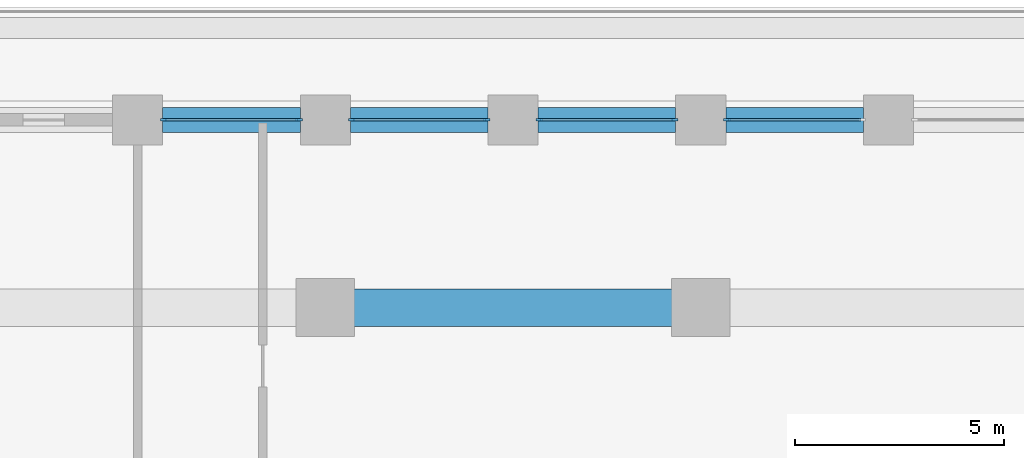
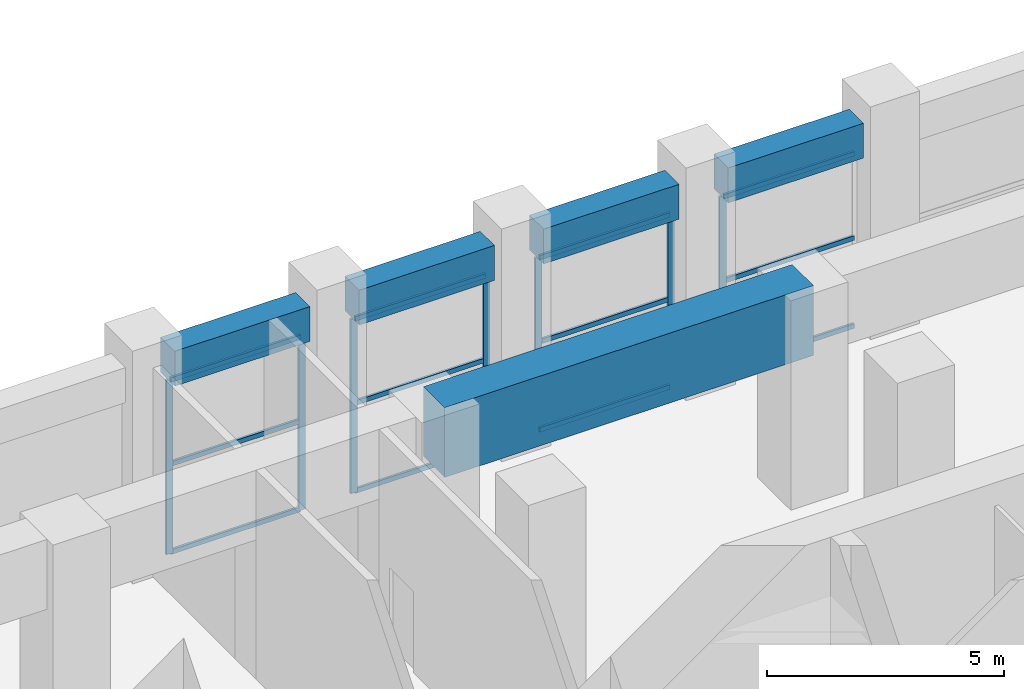
# One storey, part 7 of 24: 19 members, 5 beams, 4 elements without a shape of their own.
"""IFC4 building model written with IfcOpenShell, lengths in metres."""

from ifc_helpers import new_model, si_unit, direction, frame, origin, origin_2d, place, context, subcontext, project, spatial, rectangle, extrude, material, material_profile, profile_set, type_object, element, aggregate, save


model = new_model("IFC4")

# Units and contexts
model_context = context("Model", 3, precision=1e-05, world=origin(), true_north=direction((0.0, 1.0)))
body_context = subcontext(model_context, "Body", "Model", "MODEL_VIEW")
ifc_project = project(units=[si_unit("LENGTHUNIT", "METRE"), si_unit("AREAUNIT", "SQUARE_METRE"), si_unit("VOLUMEUNIT", "CUBIC_METRE"), si_unit("PLANEANGLEUNIT", "RADIAN"), si_unit("MASSUNIT", "GRAM", prefix="KILO")], contexts=[model_context])

# Site, building, storey
site_placement = place(None, origin())
site = spatial("IfcSite", under=ifc_project, at=site_placement, CompositionType="ELEMENT")
building_placement = place(site_placement, origin())
building = spatial("IfcBuilding", under=site, at=building_placement, Name="Corbel Stack Research Tower", CompositionType="ELEMENT")
storey_placement = place(building_placement, frame((0.0, 0.0, 145.39990234375)))
storey = spatial("IfcBuildingStorey", under=building, at=storey_placement, Name="L33", CompositionType="ELEMENT", Elevation=145.39990234375)

# Curtain wall, member
ifc_material_1 = material(Name="Aluminium frame, clear glass", Category="aluminium")
curtain_wall_type = type_object("IfcCurtainWallType", Name="Amenity floor curtain wall CW2", PredefinedType="NOTDEFINED", material=ifc_material_1)
curtain_wall_1_placement = place(storey_placement, origin())
curtain_wall_1 = element("IfcCurtainWall", 1, at=curtain_wall_1_placement, inside=storey, type_object=curtain_wall_type, Name="Curtain wall CW2 L33 N05", PredefinedType="NOTDEFINED")
ifc_material_2 = material(Name="Aluminium mullion", Category="aluminium")
ifc_material_profile_1 = material_profile(ifc_material_2, rectangle(XDim=0.06005859375, YDim=0.159912109375, at=origin_2d()), Name="Mullion 60 x 160")
ifc_profile_set_1 = profile_set([ifc_material_profile_1], Name="Aluminium mullion")
member_type_1 = type_object("IfcMemberType", Name="Curtain wall mullion 60 x 160", PredefinedType="MULLION", material=ifc_profile_set_1)
member_1_placement = place(storey_placement, frame((0.6298828125, 31.5, 0.0), z_axis=(0.0, 0.0, 1.0), x_axis=(0.0, -1.0, 0.0)))
member_1 = element("IfcMember", 2, at=member_1_placement, type_object=member_type_1, Name="CW2 L33 N05 mullion 2", PredefinedType="MULLION", context=body_context, shape_type="SweptSolid", body=[
    extrude(rectangle(XDim=0.06005859375, YDim=0.159912109375, at=origin_2d()), origin(), (0.0, 0.0, 1.0), 4.5),
])

# Curtain wall, members
curtain_wall_2_placement = place(storey_placement, origin())
curtain_wall_2 = element("IfcCurtainWall", 3, at=curtain_wall_2_placement, inside=storey, type_object=curtain_wall_type, Name="Curtain wall CW2 L33 N06", PredefinedType="NOTDEFINED")
member_2_placement = place(storey_placement, frame((-0.6298828125, 31.5, 0.0), z_axis=(0.0, 0.0, 1.0), x_axis=(0.0, -1.0, 0.0)))
member_2 = element("IfcMember", 4, at=member_2_placement, type_object=member_type_1, Name="CW2 L33 N06 mullion 1", PredefinedType="MULLION", context=body_context, shape_type="SweptSolid", body=[
    extrude(rectangle(XDim=0.06005859375, YDim=0.159912109375, at=origin_2d()), origin(), (0.0, 0.0, 1.0), 4.5),
])
member_3_placement = place(storey_placement, frame((-3.8701171875, 31.5, 0.0), z_axis=(0.0, 0.0, 1.0), x_axis=(0.0, -1.0, 0.0)))
member_3 = element("IfcMember", 5, at=member_3_placement, type_object=member_type_1, Name="CW2 L33 N06 mullion 2", PredefinedType="MULLION", context=body_context, shape_type="SweptSolid", body=[
    extrude(rectangle(XDim=0.06005859375, YDim=0.159912109375, at=origin_2d()), origin(), (0.0, 0.0, 1.0), 4.5),
])

curtain_wall_3_placement = place(storey_placement, origin())
curtain_wall_3 = element("IfcCurtainWall", 6, at=curtain_wall_3_placement, inside=storey, type_object=curtain_wall_type, Name="Curtain wall CW2 L33 N07", PredefinedType="NOTDEFINED")
member_4_placement = place(storey_placement, frame((-5.1298828125, 31.5, 0.0), z_axis=(0.0, 0.0, 1.0), x_axis=(0.0, -1.0, 0.0)))
member_4 = element("IfcMember", 7, at=member_4_placement, type_object=member_type_1, Name="CW2 L33 N07 mullion 1", PredefinedType="MULLION", context=body_context, shape_type="SweptSolid", body=[
    extrude(rectangle(XDim=0.06005859375, YDim=0.159912109375, at=origin_2d()), origin(), (0.0, 0.0, 1.0), 4.5),
])
member_5_placement = place(storey_placement, frame((-8.3701171875, 31.5, 0.0), z_axis=(0.0, 0.0, 1.0), x_axis=(0.0, -1.0, 0.0)))
member_5 = element("IfcMember", 8, at=member_5_placement, type_object=member_type_1, Name="CW2 L33 N07 mullion 2", PredefinedType="MULLION", context=body_context, shape_type="SweptSolid", body=[
    extrude(rectangle(XDim=0.06005859375, YDim=0.159912109375, at=origin_2d()), origin(), (0.0, 0.0, 1.0), 4.5),
])

curtain_wall_4_placement = place(storey_placement, origin())
curtain_wall_4 = element("IfcCurtainWall", 9, at=curtain_wall_4_placement, inside=storey, type_object=curtain_wall_type, Name="Curtain wall CW2 L33 N08", PredefinedType="NOTDEFINED")
member_6_placement = place(storey_placement, frame((-9.6298828125, 31.5, 0.0), z_axis=(0.0, 0.0, 1.0), x_axis=(0.0, -1.0, 0.0)))
member_6 = element("IfcMember", 10, at=member_6_placement, type_object=member_type_1, Name="CW2 L33 N08 mullion 1", PredefinedType="MULLION", context=body_context, shape_type="SweptSolid", body=[
    extrude(rectangle(XDim=0.06005859375, YDim=0.159912109375, at=origin_2d()), origin(), (0.0, 0.0, 1.0), 4.5),
])
member_7_placement = place(storey_placement, frame((-12.8701171875, 31.5, 0.0), z_axis=(0.0, 0.0, 1.0), x_axis=(0.0, -1.0, 0.0)))
member_7 = element("IfcMember", 11, at=member_7_placement, type_object=member_type_1, Name="CW2 L33 N08 mullion 2", PredefinedType="MULLION", context=body_context, shape_type="SweptSolid", body=[
    extrude(rectangle(XDim=0.06005859375, YDim=0.159912109375, at=origin_2d()), origin(), (0.0, 0.0, 1.0), 4.5),
])

# Member
ifc_material_3 = material(Name="Aluminium transom", Category="aluminium")
ifc_material_profile_2 = material_profile(ifc_material_3, rectangle(XDim=0.06005859375, YDim=0.1201171875, at=origin_2d()), Name="Transom 60 x 120")
ifc_profile_set_2 = profile_set([ifc_material_profile_2], Name="Aluminium transom")
member_type_2 = type_object("IfcMemberType", Name="Curtain wall transom 60 x 120", PredefinedType="USERDEFINED", material=ifc_profile_set_2)
member_8_placement = place(storey_placement, frame((3.840087890625, 31.5, 0.030029296875), z_axis=(-1.0, 0.0, 0.0), x_axis=(0.0, -1.0, 0.0)))
member_8 = element("IfcMember", 12, at=member_8_placement, type_object=member_type_2, Name="CW2 L33 N05 transom 1.1", ObjectType="TRANSOM", PredefinedType="USERDEFINED", context=body_context, shape_type="SweptSolid", body=[
    extrude(rectangle(XDim=0.06005859375, YDim=0.1201171875, at=origin_2d()), origin(), (0.0, 0.0, 1.0), 3.18017578125),
])

member_9_placement = place(storey_placement, frame((3.840087890625, 31.5, 2.300048828125), z_axis=(-1.0, 0.0, 0.0), x_axis=(0.0, -1.0, 0.0)))
member_9 = element("IfcMember", 13, at=member_9_placement, type_object=member_type_2, Name="CW2 L33 N05 transom 1.2", ObjectType="TRANSOM", PredefinedType="USERDEFINED", context=body_context, shape_type="SweptSolid", body=[
    extrude(rectangle(XDim=0.06005859375, YDim=0.1201171875, at=origin_2d()), origin(), (0.0, 0.0, 1.0), 3.18017578125),
])

member_10_placement = place(storey_placement, frame((3.840087890625, 31.5, 4.47021484375), z_axis=(-1.0, 0.0, 0.0), x_axis=(0.0, -1.0, 0.0)))
member_10 = element("IfcMember", 14, at=member_10_placement, type_object=member_type_2, Name="CW2 L33 N05 transom 1.3", ObjectType="TRANSOM", PredefinedType="USERDEFINED", context=body_context, shape_type="SweptSolid", body=[
    extrude(rectangle(XDim=0.06005859375, YDim=0.1201171875, at=origin_2d()), origin(), (0.0, 0.0, 1.0), 3.18017578125),
])

aggregate(curtain_wall_1, [member_1, member_8, member_9, member_10])

member_11_placement = place(storey_placement, frame((-0.659912109375, 31.5, 0.030029296875), z_axis=(-1.0, 0.0, 0.0), x_axis=(0.0, -1.0, 0.0)))
member_11 = element("IfcMember", 15, at=member_11_placement, type_object=member_type_2, Name="CW2 L33 N06 transom 1.1", ObjectType="TRANSOM", PredefinedType="USERDEFINED", context=body_context, shape_type="SweptSolid", body=[
    extrude(rectangle(XDim=0.06005859375, YDim=0.1201171875, at=origin_2d()), origin(), (0.0, 0.0, 1.0), 3.18017578125),
])

member_12_placement = place(storey_placement, frame((-0.659912109375, 31.5, 2.300048828125), z_axis=(-1.0, 0.0, 0.0), x_axis=(0.0, -1.0, 0.0)))
member_12 = element("IfcMember", 16, at=member_12_placement, type_object=member_type_2, Name="CW2 L33 N06 transom 1.2", ObjectType="TRANSOM", PredefinedType="USERDEFINED", context=body_context, shape_type="SweptSolid", body=[
    extrude(rectangle(XDim=0.06005859375, YDim=0.1201171875, at=origin_2d()), origin(), (0.0, 0.0, 1.0), 3.18017578125),
])

member_13_placement = place(storey_placement, frame((-0.659912109375, 31.5, 4.47021484375), z_axis=(-1.0, 0.0, 0.0), x_axis=(0.0, -1.0, 0.0)))
member_13 = element("IfcMember", 17, at=member_13_placement, type_object=member_type_2, Name="CW2 L33 N06 transom 1.3", ObjectType="TRANSOM", PredefinedType="USERDEFINED", context=body_context, shape_type="SweptSolid", body=[
    extrude(rectangle(XDim=0.06005859375, YDim=0.1201171875, at=origin_2d()), origin(), (0.0, 0.0, 1.0), 3.18017578125),
])

aggregate(curtain_wall_2, [member_2, member_3, member_11, member_12, member_13])

member_14_placement = place(storey_placement, frame((-5.159912109375, 31.5, 0.030029296875), z_axis=(-1.0, 0.0, 0.0), x_axis=(0.0, -1.0, 0.0)))
member_14 = element("IfcMember", 18, at=member_14_placement, type_object=member_type_2, Name="CW2 L33 N07 transom 1.1", ObjectType="TRANSOM", PredefinedType="USERDEFINED", context=body_context, shape_type="SweptSolid", body=[
    extrude(rectangle(XDim=0.06005859375, YDim=0.1201171875, at=origin_2d()), origin(), (0.0, 0.0, 1.0), 3.18017578125),
])

member_15_placement = place(storey_placement, frame((-5.159912109375, 31.5, 2.300048828125), z_axis=(-1.0, 0.0, 0.0), x_axis=(0.0, -1.0, 0.0)))
member_15 = element("IfcMember", 19, at=member_15_placement, type_object=member_type_2, Name="CW2 L33 N07 transom 1.2", ObjectType="TRANSOM", PredefinedType="USERDEFINED", context=body_context, shape_type="SweptSolid", body=[
    extrude(rectangle(XDim=0.06005859375, YDim=0.1201171875, at=origin_2d()), origin(), (0.0, 0.0, 1.0), 3.18017578125),
])

member_16_placement = place(storey_placement, frame((-5.159912109375, 31.5, 4.47021484375), z_axis=(-1.0, 0.0, 0.0), x_axis=(0.0, -1.0, 0.0)))
member_16 = element("IfcMember", 20, at=member_16_placement, type_object=member_type_2, Name="CW2 L33 N07 transom 1.3", ObjectType="TRANSOM", PredefinedType="USERDEFINED", context=body_context, shape_type="SweptSolid", body=[
    extrude(rectangle(XDim=0.06005859375, YDim=0.1201171875, at=origin_2d()), origin(), (0.0, 0.0, 1.0), 3.18017578125),
])

aggregate(curtain_wall_3, [member_4, member_5, member_14, member_15, member_16])

member_17_placement = place(storey_placement, frame((-9.659912109375, 31.5, 0.030029296875), z_axis=(-1.0, 0.0, 0.0), x_axis=(0.0, -1.0, 0.0)))
member_17 = element("IfcMember", 21, at=member_17_placement, type_object=member_type_2, Name="CW2 L33 N08 transom 1.1", ObjectType="TRANSOM", PredefinedType="USERDEFINED", context=body_context, shape_type="SweptSolid", body=[
    extrude(rectangle(XDim=0.06005859375, YDim=0.1201171875, at=origin_2d()), origin(), (0.0, 0.0, 1.0), 3.18017578125),
])

member_18_placement = place(storey_placement, frame((-9.659912109375, 31.5, 2.300048828125), z_axis=(-1.0, 0.0, 0.0), x_axis=(0.0, -1.0, 0.0)))
member_18 = element("IfcMember", 22, at=member_18_placement, type_object=member_type_2, Name="CW2 L33 N08 transom 1.2", ObjectType="TRANSOM", PredefinedType="USERDEFINED", context=body_context, shape_type="SweptSolid", body=[
    extrude(rectangle(XDim=0.06005859375, YDim=0.1201171875, at=origin_2d()), origin(), (0.0, 0.0, 1.0), 3.18017578125),
])

member_19_placement = place(storey_placement, frame((-9.659912109375, 31.5, 4.47021484375), z_axis=(-1.0, 0.0, 0.0), x_axis=(0.0, -1.0, 0.0)))
member_19 = element("IfcMember", 23, at=member_19_placement, type_object=member_type_2, Name="CW2 L33 N08 transom 1.3", ObjectType="TRANSOM", PredefinedType="USERDEFINED", context=body_context, shape_type="SweptSolid", body=[
    extrude(rectangle(XDim=0.06005859375, YDim=0.1201171875, at=origin_2d()), origin(), (0.0, 0.0, 1.0), 3.18017578125),
])

aggregate(curtain_wall_4, [member_6, member_7, member_17, member_18, member_19])

# Beams
ifc_material_4 = material(Name="Concrete C60/75", Category="concrete")
ifc_material_profile_3 = material_profile(ifc_material_4, rectangle(XDim=0.60009765625, YDim=0.89990234375, at=origin_2d()), Name="RC 600 x 900")
ifc_profile_set_3 = profile_set([ifc_material_profile_3], Name="Concrete C60/75")
beam_type_1 = type_object("IfcBeamType", Name="SB-600-900-600", PredefinedType="SPANDREL", material=ifc_profile_set_3)
for number, where, z_axis, x_axis, name in (
    (24, (3.89990234375, 31.5, 4.9501953125), (-1.0, 0.0, 0.0), (0.0, -1.0, 0.0), "Spandrel beam L33-27"),
    (25, (-0.60009765625, 31.5, 4.9501953125), (-1.0, 0.0, 0.0), (0.0, -1.0, 0.0), "Spandrel beam L33-28"),
    (26, (-5.10009765625, 31.5, 4.9501953125), (-1.0, 0.0, 0.0), (0.0, -1.0, 0.0), "Spandrel beam L33-29"),
    (27, (-9.60009765625, 31.5, 4.9501953125), (-1.0, 0.0, 0.0), (0.0, -1.0, 0.0), "Spandrel beam L33-30"),
):
    element("IfcBeam", number, at=place(storey_placement, frame(where, z_axis=z_axis, x_axis=x_axis)), inside=storey, type_object=beam_type_1, Name=name, PredefinedType="SPANDREL", context=body_context, shape_type="SweptSolid", body=[
        extrude(rectangle(XDim=0.60009765625, YDim=0.89990234375, at=origin_2d()), origin(), (0.0, 0.0, 1.0), 3.2998046875),
    ])
ifc_material_5 = material(Name="Concrete C60/75", Category="concrete")
ifc_material_profile_4 = material_profile(ifc_material_5, rectangle(XDim=0.89990234375, YDim=1.800048828125, at=origin_2d()), Name="RC 900 x 1800")
ifc_profile_set_4 = profile_set([ifc_material_profile_4], Name="Concrete C60/75")
beam_type_2 = type_object("IfcBeamType", Name="TG-900-1800", PredefinedType="BEAM", material=ifc_profile_set_4)
beam_placement = place(storey_placement, frame((-9.0, 27.0, 4.5), z_axis=(1.0, 0.0, 0.0), x_axis=(0.0, 1.0, 0.0)))
element("IfcBeam", 28, at=beam_placement, inside=storey, type_object=beam_type_2, Name="Transfer girder along the step L33 Nl-9", PredefinedType="BEAM", context=body_context, shape_type="SweptSolid", body=[
    extrude(rectangle(XDim=0.89990234375, YDim=1.800048828125, at=origin_2d()), origin(), (0.0, 0.0, 1.0), 9.0),
])

save(model, "model.ifc")
